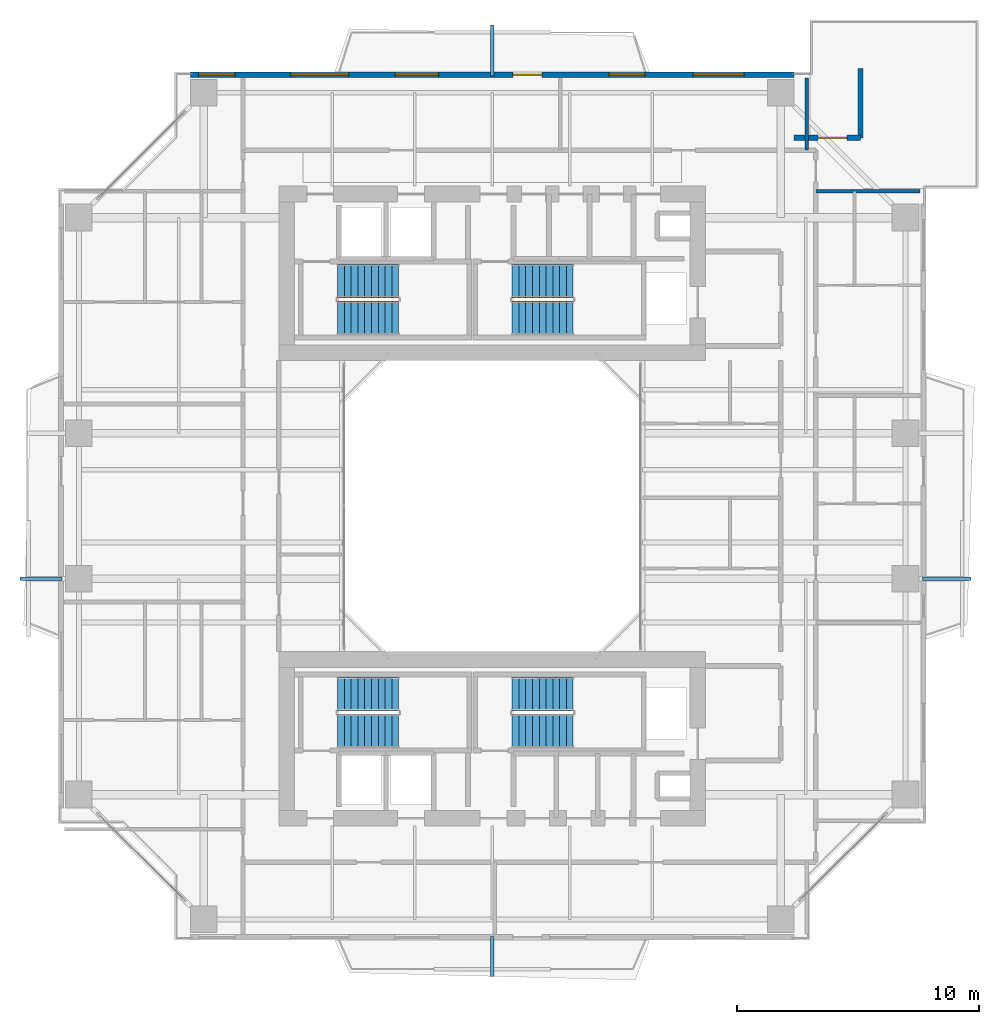
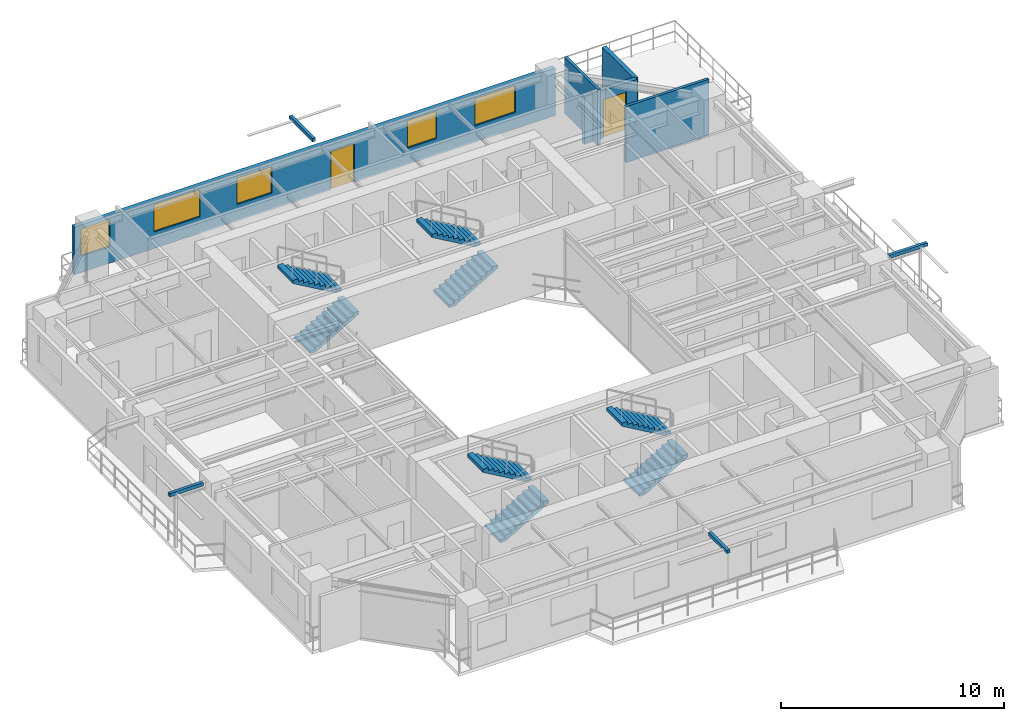
# One storey, part 14 of 17: 8 stair flights, 5 walls, 5 windows, 4 discrete accessories, 2 doors, 7 openings, 4 elements without a shape of their own.
"""IFC4 building model written with IfcOpenShell, lengths in metres."""

from ifc_helpers import new_model, si_unit, direction, frame, frame_2d, origin, origin_2d, place, context, subcontext, project, spatial, polyline, rectangle, outline, extrude, source, transform, mapped, material, layer, layer_set, type_object, element, fill, aggregate, save


model = new_model("IFC4")

# Units and contexts
model_context = context("Model", 3, precision=1e-05, world=origin(), true_north=direction((0.0, 1.0)))
body_context = subcontext(model_context, "Body", "Model", "MODEL_VIEW")
ifc_project = project(units=[si_unit("LENGTHUNIT", "METRE"), si_unit("AREAUNIT", "SQUARE_METRE"), si_unit("VOLUMEUNIT", "CUBIC_METRE"), si_unit("PLANEANGLEUNIT", "RADIAN"), si_unit("MASSUNIT", "GRAM", prefix="KILO"), si_unit("THERMODYNAMICTEMPERATUREUNIT", "KELVIN"), si_unit("POWERUNIT", "WATT")], contexts=[model_context])

# Site, building, storey
site_placement = place(None, origin())
site = spatial("IfcSite", under=ifc_project, at=site_placement, CompositionType="ELEMENT")
building_placement = place(site_placement, origin())
building = spatial("IfcBuilding", under=site, at=building_placement, Name="Qiaomeng Ring Towers", CompositionType="ELEMENT")
storey_placement = place(building_placement, frame((0.0, 0.0, 123.0)))
storey = spatial("IfcBuildingStorey", under=building, at=storey_placement, Name="L35", CompositionType="ELEMENT", Elevation=123.0)

# Wall, openings, windows, door
ifc_material_1 = material(Name="Precast concrete C40", Category="concrete")
ifc_layer_1 = layer(ifc_material_1, 0.219970703125, Name="Precast concrete C40")
ifc_layer_set_1 = layer_set([ifc_layer_1], Name="Precast concrete C40")
wall_type_1 = type_object("IfcWallType", Name="ARC-WL-EW2", PredefinedType="STANDARD", material=ifc_layer_set_1)
wall_1_placement = place(storey_placement, frame((6.550048828125, 40.7900390625, 0.0), z_axis=(0.0, 0.0, 1.0), x_axis=(1.0, 0.0, 0.0)))
wall_1 = element("IfcWall", 1, at=wall_1_placement, inside=storey, type_object=wall_type_1, Name="L35 Tower 1 N Exterior Wall", PredefinedType="STANDARD", context=body_context, shape_type="SweptSolid", body=[
    extrude(rectangle(XDim=24.89990234375, YDim=0.219970703125, at=frame_2d((12.449951171875, 0.0))), origin(), (0.0, 0.0, 1.0), 2.610107421875),
])
opening_1_placement = place(wall_1_placement, frame((13.300048828125, 0.0, 0.0)))
opening_1 = element("IfcOpeningElement", 2, at=opening_1_placement, cuts=wall_1, Name="Opening BD1", PredefinedType="OPENING", context=body_context, shape_type="SweptSolid", body=[
    extrude(rectangle(XDim=1.199951171875, YDim=2.10009765625, at=frame_2d((0.60009765625, 1.050048828125))), frame((0.0, 0.119873046875, 0.0), z_axis=(0.0, -1.0, 0.0), x_axis=(1.0, 0.0, 0.0)), (0.0, 0.0, 1.0), 0.239990234375),
])
opening_2_placement = place(wall_1_placement, frame((0.342529296875, 0.0, 0.89990234375)))
opening_2 = element("IfcOpeningElement", 3, at=opening_2_placement, cuts=wall_1, Name="Opening WN2", PredefinedType="OPENING", context=body_context, shape_type="SweptSolid", body=[
    extrude(rectangle(XDim=1.5, YDim=1.5, at=frame_2d((0.75, 0.75))), frame((0.0, 0.119873046875, 0.0), z_axis=(0.0, -1.0, 0.0), x_axis=(1.0, 0.0, 0.0)), (0.0, 0.0, 1.0), 0.239990234375),
])
opening_3_placement = place(wall_1_placement, frame((8.43798828125, 0.0, 0.89990234375)))
opening_3 = element("IfcOpeningElement", 4, at=opening_3_placement, cuts=wall_1, Name="Opening WN1", PredefinedType="OPENING", context=body_context, shape_type="SweptSolid", body=[
    extrude(rectangle(XDim=1.800048828125, YDim=1.449951171875, at=frame_2d((0.89990234375, 0.72509765625))), frame((0.0, 0.119873046875, 0.0), z_axis=(0.0, -1.0, 0.0), x_axis=(1.0, 0.0, 0.0)), (0.0, 0.0, 1.0), 0.239990234375),
])
opening_4_placement = place(wall_1_placement, frame((17.261474609375, 0.0, 0.89990234375)))
opening_4 = element("IfcOpeningElement", 5, at=opening_4_placement, cuts=wall_1, Name="Opening WN2", PredefinedType="OPENING", context=body_context, shape_type="SweptSolid", body=[
    extrude(rectangle(XDim=1.5, YDim=1.5, at=frame_2d((0.75, 0.75))), frame((0.0, 0.119873046875, 0.0), z_axis=(0.0, -1.0, 0.0), x_axis=(1.0, 0.0, 0.0)), (0.0, 0.0, 1.0), 0.239990234375),
])
opening_5_placement = place(wall_1_placement, frame((20.738037109375, 0.0, 0.89990234375)))
opening_5 = element("IfcOpeningElement", 6, at=opening_5_placement, cuts=wall_1, Name="Opening WN4", PredefinedType="OPENING", context=body_context, shape_type="SweptSolid", body=[
    extrude(rectangle(XDim=2.10009765625, YDim=1.47998046875, at=frame_2d((1.050048828125, 0.739990234375))), frame((0.0, 0.119873046875, 0.0), z_axis=(0.0, -1.0, 0.0), x_axis=(1.0, 0.0, 0.0)), (0.0, 0.0, 1.0), 0.239990234375),
])
opening_6_placement = place(wall_1_placement, frame((4.12158203125, 0.0, 0.89990234375)))
opening_6 = element("IfcOpeningElement", 7, at=opening_6_placement, cuts=wall_1, Name="Opening WN6", PredefinedType="OPENING", context=body_context, shape_type="SweptSolid", body=[
    extrude(rectangle(XDim=2.39990234375, YDim=1.5, at=frame_2d((1.199951171875, 0.75))), frame((0.0, 0.119873046875, 0.0), z_axis=(0.0, -1.0, 0.0), x_axis=(1.0, 0.0, 0.0)), (0.0, 0.0, 1.0), 0.239990234375),
])
ifc_material_2 = material(Name="Low-E dark-grey laminated double glazing", Category="glass")
window_type_1 = type_object("IfcWindowType", Name="ARC-WN-4", PartitioningType="TRIPLE_PANEL_VERTICAL", PredefinedType="WINDOW", material=ifc_material_2)
shared_shape_1 = source(origin(), body_context, "Body", "SweptSolid", [
    extrude(rectangle(XDim=2.10009765625, YDim=1.47998046875, at=frame_2d((1.050048828125, 0.739990234375))), frame((0.0, 0.030029296875, 0.0), z_axis=(0.0, -1.0, 0.0), x_axis=(1.0, 0.0, 0.0)), (0.0, 0.0, 1.0), 0.06005859375),
])
window_1_placement = place(opening_5_placement, origin())
window_1 = element("IfcWindow", 8, at=window_1_placement, inside=storey, type_object=window_type_1, Name="L35 Exterior Window WN4", OverallHeight=1.47998046875, OverallWidth=2.10009765625, PartitioningType="TRIPLE_PANEL_VERTICAL", PredefinedType="WINDOW", context=body_context, shape_type="MappedRepresentation", body=[
    mapped(shared_shape_1, transform((0.0, 0.0, 0.0), x_axis=(1.0, 0.0, 0.0), y_axis=(0.0, 1.0, 0.0), z_axis=(0.0, 0.0, 1.0), scale=1.0)),
])
fill(opening_5, window_1)
window_type_2 = type_object("IfcWindowType", Name="ARC-WN-1", PartitioningType="DOUBLE_PANEL_VERTICAL", PredefinedType="WINDOW", material=ifc_material_2)
shared_shape_2 = source(origin(), body_context, "Body", "SweptSolid", [
    extrude(rectangle(XDim=1.800048828125, YDim=1.449951171875, at=frame_2d((0.89990234375, 0.72509765625))), frame((0.0, 0.030029296875, 0.0), z_axis=(0.0, -1.0, 0.0), x_axis=(1.0, 0.0, 0.0)), (0.0, 0.0, 1.0), 0.06005859375),
])
window_2_placement = place(opening_3_placement, origin())
window_2 = element("IfcWindow", 9, at=window_2_placement, inside=storey, type_object=window_type_2, Name="L35 Exterior Window WN1", OverallHeight=1.449951171875, OverallWidth=1.800048828125, PartitioningType="DOUBLE_PANEL_VERTICAL", PredefinedType="WINDOW", context=body_context, shape_type="MappedRepresentation", body=[
    mapped(shared_shape_2, transform((0.0, 0.0, 0.0), x_axis=(1.0, 0.0, 0.0), y_axis=(0.0, 1.0, 0.0), z_axis=(0.0, 0.0, 1.0), scale=1.0)),
])
fill(opening_3, window_2)
door_type = type_object("IfcDoorType", Name="ARC-DR-BD1", OperationType="NOTDEFINED", PredefinedType="DOOR", material=ifc_material_2)
shared_shape_3 = source(origin(), body_context, "Body", "SweptSolid", [
    extrude(rectangle(XDim=1.199951171875, YDim=2.10009765625, at=frame_2d((0.60009765625, 1.050048828125))), frame((0.0, 0.02490234375, 0.0), z_axis=(0.0, -1.0, 0.0), x_axis=(1.0, 0.0, 0.0)), (0.0, 0.0, 1.0), 0.050048828125),
])
door_1_placement = place(opening_1_placement, origin())
door_1 = element("IfcDoor", 10, at=door_1_placement, inside=storey, type_object=door_type, Name="L35 N Balcony Glazed Door", OperationType="SINGLE_SWING_LEFT", OverallHeight=2.10009765625, OverallWidth=1.199951171875, PredefinedType="DOOR", context=body_context, shape_type="MappedRepresentation", body=[
    mapped(shared_shape_3, transform((0.0, 0.0, 0.0), x_axis=(1.0, 0.0, 0.0), y_axis=(0.0, 1.0, 0.0), z_axis=(0.0, 0.0, 1.0), scale=1.0)),
])
fill(opening_1, door_1)
window_type_3 = type_object("IfcWindowType", Name="ARC-WN-2", PartitioningType="DOUBLE_PANEL_VERTICAL", PredefinedType="WINDOW", material=ifc_material_2)
shared_shape_4 = source(origin(), body_context, "Body", "SweptSolid", [
    extrude(rectangle(XDim=1.5, YDim=1.5, at=frame_2d((0.75, 0.75))), frame((0.0, 0.030029296875, 0.0), z_axis=(0.0, -1.0, 0.0), x_axis=(1.0, 0.0, 0.0)), (0.0, 0.0, 1.0), 0.06005859375),
])
window_3_placement = place(opening_2_placement, origin())
window_3 = element("IfcWindow", 11, at=window_3_placement, inside=storey, type_object=window_type_3, Name="L35 Exterior Window WN6", OverallHeight=1.5, OverallWidth=1.5, PartitioningType="TRIPLE_PANEL_VERTICAL", PredefinedType="WINDOW", context=body_context, shape_type="MappedRepresentation", body=[
    mapped(shared_shape_4, transform((0.0, 0.0, 0.0), x_axis=(1.0, 0.0, 0.0), y_axis=(0.0, 1.0, 0.0), z_axis=(0.0, 0.0, 1.0), scale=1.0)),
])
fill(opening_2, window_3)
window_4_placement = place(opening_4_placement, origin())
window_4 = element("IfcWindow", 12, at=window_4_placement, inside=storey, type_object=window_type_3, Name="L35 Exterior Window WN2", OverallHeight=1.5, OverallWidth=1.5, PartitioningType="DOUBLE_PANEL_VERTICAL", PredefinedType="WINDOW", context=body_context, shape_type="MappedRepresentation", body=[
    mapped(shared_shape_4, transform((0.0, 0.0, 0.0), x_axis=(1.0, 0.0, 0.0), y_axis=(0.0, 1.0, 0.0), z_axis=(0.0, 0.0, 1.0), scale=1.0)),
])
fill(opening_4, window_4)
window_type_4 = type_object("IfcWindowType", Name="ARC-WN-6", PartitioningType="TRIPLE_PANEL_VERTICAL", PredefinedType="WINDOW", material=ifc_material_2)
shared_shape_5 = source(origin(), body_context, "Body", "SweptSolid", [
    extrude(rectangle(XDim=2.39990234375, YDim=1.5, at=frame_2d((1.199951171875, 0.75))), frame((0.0, 0.030029296875, 0.0), z_axis=(0.0, -1.0, 0.0), x_axis=(1.0, 0.0, 0.0)), (0.0, 0.0, 1.0), 0.06005859375),
])
window_5_placement = place(opening_6_placement, origin())
window_5 = element("IfcWindow", 13, at=window_5_placement, inside=storey, type_object=window_type_4, Name="L35 Exterior Window WN6", OverallHeight=1.5, OverallWidth=2.39990234375, PartitioningType="TRIPLE_PANEL_VERTICAL", PredefinedType="WINDOW", context=body_context, shape_type="MappedRepresentation", body=[
    mapped(shared_shape_5, transform((0.0, 0.0, 0.0), x_axis=(1.0, 0.0, 0.0), y_axis=(0.0, 1.0, 0.0), z_axis=(0.0, 0.0, 1.0), scale=1.0)),
])
fill(opening_6, window_5)

# Wall, opening, door
wall_2_placement = place(storey_placement, frame((31.449951171875, 38.18994140625, 0.0), z_axis=(0.0, 0.0, 1.0), x_axis=(1.0, 0.0, 0.0)))
wall_2 = element("IfcWall", 14, at=wall_2_placement, inside=storey, type_object=wall_type_1, Name="L35 Spiral Terrace Wall NE", PredefinedType="STANDARD", context=body_context, shape_type="SweptSolid", body=[
    extrude(rectangle(XDim=2.739990234375, YDim=0.219970703125, at=frame_2d((1.3701171875, 0.0))), origin(), (0.0, 0.0, 1.0), 2.610107421875),
])
opening_7_placement = place(wall_2_placement, frame((0.989990234375, 0.0, 0.0)))
opening_7 = element("IfcOpeningElement", 15, at=opening_7_placement, cuts=wall_2, Name="Opening BD1", PredefinedType="OPENING", context=body_context, shape_type="SweptSolid", body=[
    extrude(rectangle(XDim=1.199951171875, YDim=2.10009765625, at=frame_2d((0.60009765625, 1.050048828125))), frame((0.0, 0.119873046875, 0.0), z_axis=(0.0, -1.0, 0.0), x_axis=(1.0, 0.0, 0.0)), (0.0, 0.0, 1.0), 0.239990234375),
])
door_2_placement = place(opening_7_placement, frame((1.199951171875, 0.0, 0.0), z_axis=(0.0, 0.0, 1.0), x_axis=(-1.0, 0.0, 0.0)))
door_2 = element("IfcDoor", 16, at=door_2_placement, inside=storey, type_object=door_type, Name="L35 Spiral Sky Terrace Door NE", OperationType="SINGLE_SWING_LEFT", OverallHeight=2.10009765625, OverallWidth=1.199951171875, PredefinedType="DOOR", context=body_context, shape_type="MappedRepresentation", body=[
    mapped(shared_shape_3, transform((0.0, 0.0, 0.0), x_axis=(1.0, 0.0, 0.0), y_axis=(0.0, 1.0, 0.0), z_axis=(0.0, 0.0, 1.0), scale=1.0)),
])
fill(opening_7, door_2)

# Walls
wall_3_placement = place(storey_placement, frame((34.18994140625, 38.18994140625, 0.0), z_axis=(0.0, 0.0, 1.0), x_axis=(0.0, 1.0, 0.0)))
element("IfcWall", 17, at=wall_3_placement, inside=storey, type_object=wall_type_1, Name="L35 Spiral Terrace Return Wall NE", PredefinedType="STANDARD", context=body_context, shape_type="SweptSolid", body=[
    extrude(rectangle(XDim=2.860107421875, YDim=0.219970703125, at=frame_2d((1.43017578125, 0.0))), origin(), (0.0, 0.0, 1.0), 2.610107421875),
])
ifc_material_3 = material(Name="Gypsum fireboard steel-stud partition", Category="steel")
ifc_layer_2 = layer(ifc_material_3, 0.14990234375, Name="Gypsum fireboard steel-stud partition")
ifc_layer_set_2 = layer_set([ifc_layer_2], Name="Gypsum fireboard steel-stud partition")
wall_type_2 = type_object("IfcWallType", Name="ARC-WL-PW3", PredefinedType="PARTITIONING", material=ifc_layer_set_2)
wall_4_placement = place(storey_placement, frame((31.97998046875, 37.679931640625, 0.0), z_axis=(0.0, 0.0, 1.0), x_axis=(0.0, 1.0, 0.0)))
element("IfcWall", 18, at=wall_4_placement, inside=storey, type_object=wall_type_2, Name="L35 Interior Wall PW3", PredefinedType="PARTITIONING", context=body_context, shape_type="SweptSolid", body=[
    extrude(rectangle(XDim=2.969970703125, YDim=0.14990234375, at=frame_2d((1.48486328125, 0.0))), origin(), (0.0, 0.0, 1.0), 3.070068359375),
])
wall_5_placement = place(storey_placement, frame((32.35009765625, 35.97998046875, 0.0), z_axis=(0.0, 0.0, 1.0), x_axis=(1.0, 0.0, 0.0)))
element("IfcWall", 19, at=wall_5_placement, inside=storey, type_object=wall_type_2, Name="L35 Interior Wall PW3", PredefinedType="PARTITIONING", context=body_context, shape_type="SweptSolid", body=[
    extrude(rectangle(XDim=4.2998046875, YDim=0.14990234375, at=frame_2d((2.14990234375, 0.0))), origin(), (0.0, 0.0, 1.0), 3.070068359375),
])

# Stair, stair flights
stair_type = type_object("IfcStairType", Name="ARC-ST-325", PredefinedType="HALF_TURN_STAIR", material=ifc_material_1)
stair_1_placement = place(storey_placement, origin())
stair_1 = element("IfcStair", 20, at=stair_1_placement, inside=storey, type_object=stair_type, Name="L35 Tower 1 North Stair 1", PredefinedType="HALF_TURN_STAIR")
stair_flight_type = type_object("IfcStairFlightType", Name="ARC-ST-325-FL", PredefinedType="STRAIGHT", material=ifc_material_1)
shared_shape_6 = source(origin(), body_context, "Body", "SweptSolid", [
    extrude(outline(polyline([(0.0, 0.0), (0.0, 0.16259765625), (0.280029296875, 0.16259765625), (0.280029296875, 0.324951171875), (0.56005859375, 0.324951171875), (0.56005859375, 0.487548828125), (0.840087890625, 0.487548828125), (0.840087890625, 0.64990234375), (1.1201171875, 0.64990234375), (1.1201171875, 0.8125), (1.39990234375, 0.8125), (1.39990234375, 0.97509765625), (1.679931640625, 0.97509765625), (1.679931640625, 1.137451171875), (1.9599609375, 1.137451171875), (1.9599609375, 1.300048828125), (2.239990234375, 1.300048828125), (2.239990234375, 1.46240234375), (2.52001953125, 1.46240234375), (2.52001953125, 1.625), (2.52001953125, 1.2890625), (0.298583984375, 0.0), (0.0, 0.0)])), frame((0.0, 0.699951171875, 0.0), z_axis=(0.0, -1.0, 0.0), x_axis=(1.0, 0.0, 0.0)), (0.0, 0.0, 1.0), 1.39990234375),
])
stair_flight_1_placement = place(storey_placement, frame((12.6201171875, 30.75, 0.0), z_axis=(0.0, 0.0, 1.0), x_axis=(1.0, 0.0, 0.0)))
stair_flight_1 = element("IfcStairFlight", 21, at=stair_flight_1_placement, type_object=stair_flight_type, Name="ST1 flight 1", NumberOfRisers=10, NumberOfTreads=9, PredefinedType="STRAIGHT", RiserHeight=0.1625, TreadLength=0.28, context=body_context, shape_type="MappedRepresentation", body=[
    mapped(shared_shape_6, transform((0.0, 0.0, 0.0), x_axis=(1.0, 0.0, 0.0), y_axis=(0.0, 1.0, 0.0), z_axis=(0.0, 0.0, 1.0), scale=1.0)),
])
stair_flight_2_placement = place(storey_placement, frame((15.139892578125, 32.2900390625, 1.625), z_axis=(0.0, 0.0, 1.0), x_axis=(-1.0, 0.0, 0.0)))
stair_flight_2 = element("IfcStairFlight", 22, at=stair_flight_2_placement, type_object=stair_flight_type, Name="ST1 flight 2", NumberOfRisers=10, NumberOfTreads=9, PredefinedType="STRAIGHT", RiserHeight=0.1625, TreadLength=0.28, context=body_context, shape_type="MappedRepresentation", body=[
    mapped(shared_shape_6, transform((0.0, 0.0, 0.0), x_axis=(1.0, 0.0, 0.0), y_axis=(0.0, 1.0, 0.0), z_axis=(0.0, 0.0, 1.0), scale=1.0)),
])
aggregate(stair_1, [stair_flight_1, stair_flight_2])

stair_2_placement = place(storey_placement, origin())
stair_2 = element("IfcStair", 23, at=stair_2_placement, inside=storey, type_object=stair_type, Name="L35 Tower 1 North Stair 2", PredefinedType="HALF_TURN_STAIR")
stair_flight_3_placement = place(storey_placement, frame((19.820068359375, 30.75, 0.0), z_axis=(0.0, 0.0, 1.0), x_axis=(1.0, 0.0, 0.0)))
stair_flight_3 = element("IfcStairFlight", 24, at=stair_flight_3_placement, type_object=stair_flight_type, Name="ST2 flight 1", NumberOfRisers=10, NumberOfTreads=9, PredefinedType="STRAIGHT", RiserHeight=0.1625, TreadLength=0.28, context=body_context, shape_type="MappedRepresentation", body=[
    mapped(shared_shape_6, transform((0.0, 0.0, 0.0), x_axis=(1.0, 0.0, 0.0), y_axis=(0.0, 1.0, 0.0), z_axis=(0.0, 0.0, 1.0), scale=1.0)),
])
stair_flight_4_placement = place(storey_placement, frame((22.340087890625, 32.2900390625, 1.625), z_axis=(0.0, 0.0, 1.0), x_axis=(-1.0, 0.0, 0.0)))
stair_flight_4 = element("IfcStairFlight", 25, at=stair_flight_4_placement, type_object=stair_flight_type, Name="ST2 flight 2", NumberOfRisers=10, NumberOfTreads=9, PredefinedType="STRAIGHT", RiserHeight=0.1625, TreadLength=0.28, context=body_context, shape_type="MappedRepresentation", body=[
    mapped(shared_shape_6, transform((0.0, 0.0, 0.0), x_axis=(1.0, 0.0, 0.0), y_axis=(0.0, 1.0, 0.0), z_axis=(0.0, 0.0, 1.0), scale=1.0)),
])
aggregate(stair_2, [stair_flight_3, stair_flight_4])

stair_3_placement = place(storey_placement, origin())
stair_3 = element("IfcStair", 26, at=stair_3_placement, inside=storey, type_object=stair_type, Name="L35 Tower 1 South Stair 3", PredefinedType="HALF_TURN_STAIR")
stair_flight_5_placement = place(storey_placement, frame((12.6201171875, 13.7099609375, 0.0), z_axis=(0.0, 0.0, 1.0), x_axis=(1.0, 0.0, 0.0)))
stair_flight_5 = element("IfcStairFlight", 27, at=stair_flight_5_placement, type_object=stair_flight_type, Name="ST3 flight 1", NumberOfRisers=10, NumberOfTreads=9, PredefinedType="STRAIGHT", RiserHeight=0.1625, TreadLength=0.28, context=body_context, shape_type="MappedRepresentation", body=[
    mapped(shared_shape_6, transform((0.0, 0.0, 0.0), x_axis=(1.0, 0.0, 0.0), y_axis=(0.0, 1.0, 0.0), z_axis=(0.0, 0.0, 1.0), scale=1.0)),
])
stair_flight_6_placement = place(storey_placement, frame((15.139892578125, 15.25, 1.625), z_axis=(0.0, 0.0, 1.0), x_axis=(-1.0, 0.0, 0.0)))
stair_flight_6 = element("IfcStairFlight", 28, at=stair_flight_6_placement, type_object=stair_flight_type, Name="ST3 flight 2", NumberOfRisers=10, NumberOfTreads=9, PredefinedType="STRAIGHT", RiserHeight=0.1625, TreadLength=0.28, context=body_context, shape_type="MappedRepresentation", body=[
    mapped(shared_shape_6, transform((0.0, 0.0, 0.0), x_axis=(1.0, 0.0, 0.0), y_axis=(0.0, 1.0, 0.0), z_axis=(0.0, 0.0, 1.0), scale=1.0)),
])
aggregate(stair_3, [stair_flight_5, stair_flight_6])

stair_4_placement = place(storey_placement, origin())
stair_4 = element("IfcStair", 29, at=stair_4_placement, inside=storey, type_object=stair_type, Name="L35 Tower 1 South Stair 4", PredefinedType="HALF_TURN_STAIR")
stair_flight_7_placement = place(storey_placement, frame((19.820068359375, 13.7099609375, 0.0), z_axis=(0.0, 0.0, 1.0), x_axis=(1.0, 0.0, 0.0)))
stair_flight_7 = element("IfcStairFlight", 30, at=stair_flight_7_placement, type_object=stair_flight_type, Name="ST4 flight 1", NumberOfRisers=10, NumberOfTreads=9, PredefinedType="STRAIGHT", RiserHeight=0.1625, TreadLength=0.28, context=body_context, shape_type="MappedRepresentation", body=[
    mapped(shared_shape_6, transform((0.0, 0.0, 0.0), x_axis=(1.0, 0.0, 0.0), y_axis=(0.0, 1.0, 0.0), z_axis=(0.0, 0.0, 1.0), scale=1.0)),
])
stair_flight_8_placement = place(storey_placement, frame((22.340087890625, 15.25, 1.625), z_axis=(0.0, 0.0, 1.0), x_axis=(-1.0, 0.0, 0.0)))
stair_flight_8 = element("IfcStairFlight", 31, at=stair_flight_8_placement, type_object=stair_flight_type, Name="ST4 flight 2", NumberOfRisers=10, NumberOfTreads=9, PredefinedType="STRAIGHT", RiserHeight=0.1625, TreadLength=0.28, context=body_context, shape_type="MappedRepresentation", body=[
    mapped(shared_shape_6, transform((0.0, 0.0, 0.0), x_axis=(1.0, 0.0, 0.0), y_axis=(0.0, 1.0, 0.0), z_axis=(0.0, 0.0, 1.0), scale=1.0)),
])
aggregate(stair_4, [stair_flight_7, stair_flight_8])

# Discrete accessories
ifc_material_4 = material(Name="Stainless steel 316", Category="steel")
discrete_accessory_type = type_object("IfcDiscreteAccessoryType", Name="ARC-ACC-BRACKET", PredefinedType="BRACKET", material=ifc_material_4)
shared_shape_7 = source(origin(), body_context, "Body", "SweptSolid", [
    extrude(rectangle(XDim=0.159912109375, YDim=1.64990234375, at=origin_2d()), origin(), (0.0, 0.0, 1.0), 0.179931640625),
])
discrete_accessory_1_placement = place(storey_placement, frame((19.0, 4.425048828125, 2.89990234375), z_axis=(0.0, 0.0, 1.0), x_axis=(1.0, 0.0, 0.0)))
element("IfcDiscreteAccessory", 32, at=discrete_accessory_1_placement, inside=storey, type_object=discrete_accessory_type, Name="L35 Stainless Outer-Skin Tie Bracket S", PredefinedType="BRACKET", context=body_context, shape_type="MappedRepresentation", body=[
    mapped(shared_shape_7, transform((0.0, 0.0, 0.0), x_axis=(1.0, 0.0, 0.0), y_axis=(0.0, 1.0, 0.0), z_axis=(0.0, 0.0, 1.0), scale=1.0)),
])
shared_shape_8 = source(origin(), body_context, "Body", "SweptSolid", [
    extrude(rectangle(XDim=1.989990234375, YDim=0.159912109375, at=origin_2d()), origin(), (0.0, 0.0, 1.0), 0.179931640625),
])
discrete_accessory_2_placement = place(storey_placement, frame((37.7451171875, 20.0, 2.89990234375), z_axis=(0.0, 0.0, 1.0), x_axis=(1.0, 0.0, 0.0)))
element("IfcDiscreteAccessory", 33, at=discrete_accessory_2_placement, inside=storey, type_object=discrete_accessory_type, Name="L35 Stainless Outer-Skin Tie Bracket E", PredefinedType="BRACKET", context=body_context, shape_type="MappedRepresentation", body=[
    mapped(shared_shape_8, transform((0.0, 0.0, 0.0), x_axis=(1.0, 0.0, 0.0), y_axis=(0.0, 1.0, 0.0), z_axis=(0.0, 0.0, 1.0), scale=1.0)),
])
shared_shape_9 = source(origin(), body_context, "Body", "SweptSolid", [
    extrude(rectangle(XDim=0.159912109375, YDim=2.090087890625, at=origin_2d()), origin(), (0.0, 0.0, 1.0), 0.179931640625),
])
discrete_accessory_3_placement = place(storey_placement, frame((19.0, 41.794921875, 2.89990234375), z_axis=(0.0, 0.0, 1.0), x_axis=(1.0, 0.0, 0.0)))
element("IfcDiscreteAccessory", 34, at=discrete_accessory_3_placement, inside=storey, type_object=discrete_accessory_type, Name="L35 Stainless Outer-Skin Tie Bracket N", PredefinedType="BRACKET", context=body_context, shape_type="MappedRepresentation", body=[
    mapped(shared_shape_9, transform((0.0, 0.0, 0.0), x_axis=(1.0, 0.0, 0.0), y_axis=(0.0, 1.0, 0.0), z_axis=(0.0, 0.0, 1.0), scale=1.0)),
])
shared_shape_10 = source(origin(), body_context, "Body", "SweptSolid", [
    extrude(rectangle(XDim=1.72998046875, YDim=0.159912109375, at=origin_2d()), origin(), (0.0, 0.0, 1.0), 0.179931640625),
])
discrete_accessory_4_placement = place(storey_placement, frame((0.385009765625, 20.0, 2.89990234375), z_axis=(0.0, 0.0, 1.0), x_axis=(1.0, 0.0, 0.0)))
element("IfcDiscreteAccessory", 35, at=discrete_accessory_4_placement, inside=storey, type_object=discrete_accessory_type, Name="L35 Stainless Outer-Skin Tie Bracket W", PredefinedType="BRACKET", context=body_context, shape_type="MappedRepresentation", body=[
    mapped(shared_shape_10, transform((0.0, 0.0, 0.0), x_axis=(1.0, 0.0, 0.0), y_axis=(0.0, 1.0, 0.0), z_axis=(0.0, 0.0, 1.0), scale=1.0)),
])

save(model, "model.ifc")
